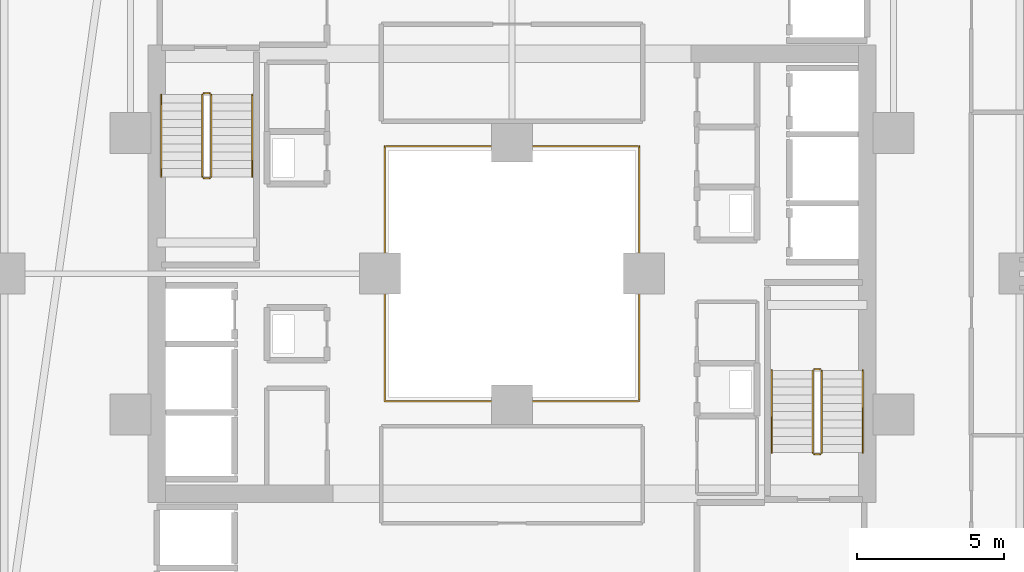
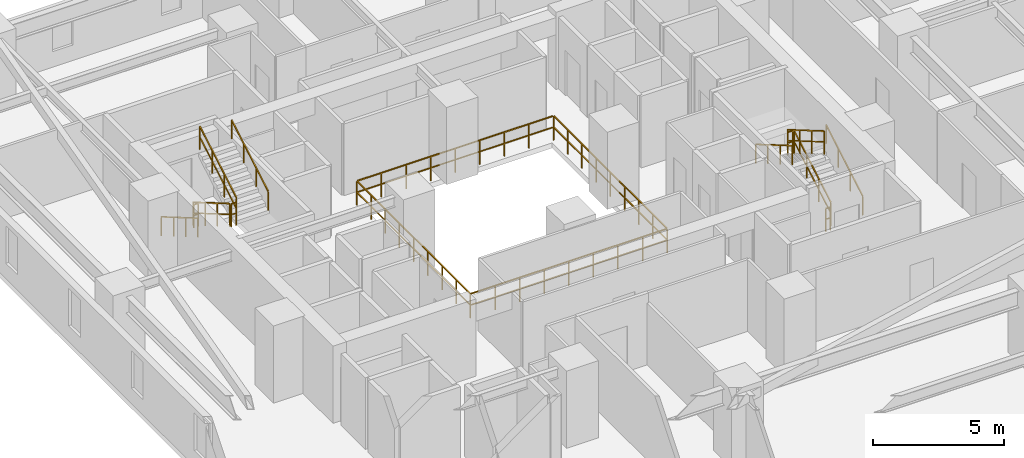
# One storey, part 32 of 33: 13 railings.
"""IFC4 building model written with IfcOpenShell, lengths in metres."""

from ifc_helpers import new_model, si_unit, direction, frame, origin, origin_2d, place, context, subcontext, project, spatial, rectangle, extrude, material, type_object, element, save


model = new_model("IFC4")

# Units and contexts
model_context = context("Model", 3, precision=1e-05, world=origin(), true_north=direction((0.0, 1.0)))
body_context = subcontext(model_context, "Body", "Model", "MODEL_VIEW")
ifc_project = project(units=[si_unit("LENGTHUNIT", "METRE"), si_unit("AREAUNIT", "SQUARE_METRE"), si_unit("VOLUMEUNIT", "CUBIC_METRE"), si_unit("PLANEANGLEUNIT", "RADIAN"), si_unit("MASSUNIT", "GRAM", prefix="KILO")], contexts=[model_context])

# Site, building, storey
site_placement = place(None, origin())
site = spatial("IfcSite", under=ifc_project, at=site_placement, CompositionType="ELEMENT")
building_placement = place(site_placement, origin())
building = spatial("IfcBuilding", under=site, at=building_placement, Name="Thornwick Lancets Civic Towers", CompositionType="ELEMENT")
storey_placement = place(building_placement, frame((0.0, 0.0, 42.300048828125)))
storey = spatial("IfcBuildingStorey", under=building, at=storey_placement, Name="L10", CompositionType="ELEMENT", Elevation=42.300048828125)

# Railings
ifc_material_1 = material(Name="Laminated glass and bronze steel S355", Category="steel")
railing_type_1 = type_object("IfcRailingType", Name="RAIL_ATRIUM_GUARD", PredefinedType="BALUSTRADE", material=ifc_material_1)
railing_1_placement = place(storey_placement, frame((84.159912109375, 22.659912109375, 0.0)))
element("IfcRailing", 1, at=railing_1_placement, inside=storey, type_object=railing_type_1, Name="L10 Tower B Central Atrium Guard Balustrade", PredefinedType="BALUSTRADE", context=body_context, shape_type="SweptSolid", body=[
    extrude(rectangle(XDim=0.048095703125, YDim=0.048095703125, at=origin_2d()), frame((0.0, 0.0, 1.1259765625), z_axis=(1.0, 0.0, 0.0), x_axis=(0.0, 1.0, 0.0)), (0.0, 0.0, 1.0), 8.64892578125),
    extrude(rectangle(XDim=0.0419921875, YDim=0.0419921875, at=origin_2d()), frame((0.03759765625, 0.0, 0.597900390625), z_axis=(1.0, 0.0, 0.0), x_axis=(0.0, 1.0, 0.0)), (0.0, 0.0, 1.0), 1.010009765625),
    extrude(rectangle(XDim=0.0419921875, YDim=0.0419921875, at=origin_2d()), frame((1.12255859375, 0.0, 0.597900390625), z_axis=(1.0, 0.0, 0.0), x_axis=(0.0, 1.0, 0.0)), (0.0, 0.0, 1.0), 1.010009765625),
    extrude(rectangle(XDim=0.0419921875, YDim=0.0419921875, at=origin_2d()), frame((2.20751953125, 0.0, 0.597900390625), z_axis=(1.0, 0.0, 0.0), x_axis=(0.0, 1.0, 0.0)), (0.0, 0.0, 1.0), 1.010009765625),
    extrude(rectangle(XDim=0.0419921875, YDim=0.0419921875, at=origin_2d()), frame((3.29248046875, 0.0, 0.597900390625), z_axis=(1.0, 0.0, 0.0), x_axis=(0.0, 1.0, 0.0)), (0.0, 0.0, 1.0), 1.010009765625),
    extrude(rectangle(XDim=0.0419921875, YDim=0.0419921875, at=origin_2d()), frame((4.377685546875, 0.0, 0.597900390625), z_axis=(1.0, 0.0, 0.0), x_axis=(0.0, 1.0, 0.0)), (0.0, 0.0, 1.0), 1.010009765625),
    extrude(rectangle(XDim=0.0419921875, YDim=0.0419921875, at=origin_2d()), frame((5.462646484375, 0.0, 0.597900390625), z_axis=(1.0, 0.0, 0.0), x_axis=(0.0, 1.0, 0.0)), (0.0, 0.0, 1.0), 1.010009765625),
    extrude(rectangle(XDim=0.0419921875, YDim=0.0419921875, at=origin_2d()), frame((6.547607421875, 0.0, 0.597900390625), z_axis=(1.0, 0.0, 0.0), x_axis=(0.0, 1.0, 0.0)), (0.0, 0.0, 1.0), 1.010009765625),
    extrude(rectangle(XDim=0.0419921875, YDim=0.0419921875, at=origin_2d()), frame((7.632568359375, 0.0, 0.597900390625), z_axis=(1.0, 0.0, 0.0), x_axis=(0.0, 1.0, 0.0)), (0.0, 0.0, 1.0), 1.010009765625),
    extrude(rectangle(XDim=0.048095703125, YDim=0.048095703125, at=origin_2d()), frame((8.68017578125, 0.03125, 1.1259765625), z_axis=(0.0, 1.0, 0.0), x_axis=(-1.0, 0.0, 0.0)), (0.0, 0.0, 1.0), 8.61767578125),
    extrude(rectangle(XDim=0.0419921875, YDim=0.0419921875, at=origin_2d()), frame((8.68017578125, 0.03759765625, 0.597900390625), z_axis=(0.0, 1.0, 0.0), x_axis=(-1.0, 0.0, 0.0)), (0.0, 0.0, 1.0), 1.010009765625),
    extrude(rectangle(XDim=0.0419921875, YDim=0.0419921875, at=origin_2d()), frame((8.68017578125, 1.12255859375, 0.597900390625), z_axis=(0.0, 1.0, 0.0), x_axis=(-1.0, 0.0, 0.0)), (0.0, 0.0, 1.0), 1.010009765625),
    extrude(rectangle(XDim=0.0419921875, YDim=0.0419921875, at=origin_2d()), frame((8.68017578125, 2.20751953125, 0.597900390625), z_axis=(0.0, 1.0, 0.0), x_axis=(-1.0, 0.0, 0.0)), (0.0, 0.0, 1.0), 1.010009765625),
    extrude(rectangle(XDim=0.0419921875, YDim=0.0419921875, at=origin_2d()), frame((8.68017578125, 3.29248046875, 0.597900390625), z_axis=(0.0, 1.0, 0.0), x_axis=(-1.0, 0.0, 0.0)), (0.0, 0.0, 1.0), 1.010009765625),
    extrude(rectangle(XDim=0.0419921875, YDim=0.0419921875, at=origin_2d()), frame((8.68017578125, 4.377685546875, 0.597900390625), z_axis=(0.0, 1.0, 0.0), x_axis=(-1.0, 0.0, 0.0)), (0.0, 0.0, 1.0), 1.010009765625),
    extrude(rectangle(XDim=0.0419921875, YDim=0.0419921875, at=origin_2d()), frame((8.68017578125, 5.462646484375, 0.597900390625), z_axis=(0.0, 1.0, 0.0), x_axis=(-1.0, 0.0, 0.0)), (0.0, 0.0, 1.0), 1.010009765625),
    extrude(rectangle(XDim=0.0419921875, YDim=0.0419921875, at=origin_2d()), frame((8.68017578125, 6.547607421875, 0.597900390625), z_axis=(0.0, 1.0, 0.0), x_axis=(-1.0, 0.0, 0.0)), (0.0, 0.0, 1.0), 1.010009765625),
    extrude(rectangle(XDim=0.0419921875, YDim=0.0419921875, at=origin_2d()), frame((8.68017578125, 7.632568359375, 0.597900390625), z_axis=(0.0, 1.0, 0.0), x_axis=(-1.0, 0.0, 0.0)), (0.0, 0.0, 1.0), 1.010009765625),
    extrude(rectangle(XDim=0.048095703125, YDim=0.048095703125, at=origin_2d()), frame((8.64892578125, 8.68017578125, 1.1259765625), z_axis=(-1.0, 0.0, 0.0), x_axis=(0.0, -1.0, 0.0)), (0.0, 0.0, 1.0), 8.61767578125),
    extrude(rectangle(XDim=0.0419921875, YDim=0.0419921875, at=origin_2d()), frame((8.642578125, 8.68017578125, 0.597900390625), z_axis=(-1.0, 0.0, 0.0), x_axis=(0.0, -1.0, 0.0)), (0.0, 0.0, 1.0), 1.010009765625),
    extrude(rectangle(XDim=0.0419921875, YDim=0.0419921875, at=origin_2d()), frame((7.5576171875, 8.68017578125, 0.597900390625), z_axis=(-1.0, 0.0, 0.0), x_axis=(0.0, -1.0, 0.0)), (0.0, 0.0, 1.0), 1.010009765625),
    extrude(rectangle(XDim=0.0419921875, YDim=0.0419921875, at=origin_2d()), frame((6.47265625, 8.68017578125, 0.597900390625), z_axis=(-1.0, 0.0, 0.0), x_axis=(0.0, -1.0, 0.0)), (0.0, 0.0, 1.0), 1.010009765625),
    extrude(rectangle(XDim=0.0419921875, YDim=0.0419921875, at=origin_2d()), frame((5.3876953125, 8.68017578125, 0.597900390625), z_axis=(-1.0, 0.0, 0.0), x_axis=(0.0, -1.0, 0.0)), (0.0, 0.0, 1.0), 1.010009765625),
    extrude(rectangle(XDim=0.0419921875, YDim=0.0419921875, at=origin_2d()), frame((4.302490234375, 8.68017578125, 0.597900390625), z_axis=(-1.0, 0.0, 0.0), x_axis=(0.0, -1.0, 0.0)), (0.0, 0.0, 1.0), 1.010009765625),
    extrude(rectangle(XDim=0.0419921875, YDim=0.0419921875, at=origin_2d()), frame((3.217529296875, 8.68017578125, 0.597900390625), z_axis=(-1.0, 0.0, 0.0), x_axis=(0.0, -1.0, 0.0)), (0.0, 0.0, 1.0), 1.010009765625),
    extrude(rectangle(XDim=0.0419921875, YDim=0.0419921875, at=origin_2d()), frame((2.132568359375, 8.68017578125, 0.597900390625), z_axis=(-1.0, 0.0, 0.0), x_axis=(0.0, -1.0, 0.0)), (0.0, 0.0, 1.0), 1.010009765625),
    extrude(rectangle(XDim=0.0419921875, YDim=0.0419921875, at=origin_2d()), frame((1.047607421875, 8.68017578125, 0.597900390625), z_axis=(-1.0, 0.0, 0.0), x_axis=(0.0, -1.0, 0.0)), (0.0, 0.0, 1.0), 1.010009765625),
    extrude(rectangle(XDim=0.048095703125, YDim=0.048095703125, at=origin_2d()), frame((0.0, 8.64892578125, 1.1259765625), z_axis=(0.0, -1.0, 0.0), x_axis=(1.0, 0.0, 0.0)), (0.0, 0.0, 1.0), 8.64892578125),
    extrude(rectangle(XDim=0.0419921875, YDim=0.0419921875, at=origin_2d()), frame((0.0, 8.642578125, 0.597900390625), z_axis=(0.0, -1.0, 0.0), x_axis=(1.0, 0.0, 0.0)), (0.0, 0.0, 1.0), 1.010009765625),
    extrude(rectangle(XDim=0.0419921875, YDim=0.0419921875, at=origin_2d()), frame((0.0, 7.5576171875, 0.597900390625), z_axis=(0.0, -1.0, 0.0), x_axis=(1.0, 0.0, 0.0)), (0.0, 0.0, 1.0), 1.010009765625),
    extrude(rectangle(XDim=0.0419921875, YDim=0.0419921875, at=origin_2d()), frame((0.0, 6.47265625, 0.597900390625), z_axis=(0.0, -1.0, 0.0), x_axis=(1.0, 0.0, 0.0)), (0.0, 0.0, 1.0), 1.010009765625),
    extrude(rectangle(XDim=0.0419921875, YDim=0.0419921875, at=origin_2d()), frame((0.0, 5.3876953125, 0.597900390625), z_axis=(0.0, -1.0, 0.0), x_axis=(1.0, 0.0, 0.0)), (0.0, 0.0, 1.0), 1.010009765625),
    extrude(rectangle(XDim=0.0419921875, YDim=0.0419921875, at=origin_2d()), frame((0.0, 4.302490234375, 0.597900390625), z_axis=(0.0, -1.0, 0.0), x_axis=(1.0, 0.0, 0.0)), (0.0, 0.0, 1.0), 1.010009765625),
    extrude(rectangle(XDim=0.0419921875, YDim=0.0419921875, at=origin_2d()), frame((0.0, 3.217529296875, 0.597900390625), z_axis=(0.0, -1.0, 0.0), x_axis=(1.0, 0.0, 0.0)), (0.0, 0.0, 1.0), 1.010009765625),
    extrude(rectangle(XDim=0.0419921875, YDim=0.0419921875, at=origin_2d()), frame((0.0, 2.132568359375, 0.597900390625), z_axis=(0.0, -1.0, 0.0), x_axis=(1.0, 0.0, 0.0)), (0.0, 0.0, 1.0), 1.010009765625),
    extrude(rectangle(XDim=0.0419921875, YDim=0.0419921875, at=origin_2d()), frame((0.0, 1.047607421875, 0.597900390625), z_axis=(0.0, -1.0, 0.0), x_axis=(1.0, 0.0, 0.0)), (0.0, 0.0, 1.0), 1.010009765625),
    extrude(rectangle(XDim=0.0419921875, YDim=0.0419921875, at=origin_2d()), origin(), (0.0, 0.0, 1.0), 1.095703125),
    extrude(rectangle(XDim=0.0419921875, YDim=0.0419921875, at=origin_2d()), frame((1.0849609375, 0.0, 0.0)), (0.0, 0.0, 1.0), 1.095703125),
    extrude(rectangle(XDim=0.0419921875, YDim=0.0419921875, at=origin_2d()), frame((2.169921875, 0.0, 0.0)), (0.0, 0.0, 1.0), 1.095703125),
    extrude(rectangle(XDim=0.0419921875, YDim=0.0419921875, at=origin_2d()), frame((3.255126953125, 0.0, 0.0)), (0.0, 0.0, 1.0), 1.095703125),
    extrude(rectangle(XDim=0.0419921875, YDim=0.0419921875, at=origin_2d()), frame((4.340087890625, 0.0, 0.0)), (0.0, 0.0, 1.0), 1.095703125),
    extrude(rectangle(XDim=0.0419921875, YDim=0.0419921875, at=origin_2d()), frame((5.425048828125, 0.0, 0.0)), (0.0, 0.0, 1.0), 1.095703125),
    extrude(rectangle(XDim=0.0419921875, YDim=0.0419921875, at=origin_2d()), frame((6.51025390625, 0.0, 0.0)), (0.0, 0.0, 1.0), 1.095703125),
    extrude(rectangle(XDim=0.0419921875, YDim=0.0419921875, at=origin_2d()), frame((7.59521484375, 0.0, 0.0)), (0.0, 0.0, 1.0), 1.095703125),
    extrude(rectangle(XDim=0.0419921875, YDim=0.0419921875, at=origin_2d()), frame((8.68017578125, 0.0, 0.0)), (0.0, 0.0, 1.0), 1.095703125),
    extrude(rectangle(XDim=0.0419921875, YDim=0.0419921875, at=origin_2d()), frame((8.68017578125, 1.0849609375, 0.0)), (0.0, 0.0, 1.0), 1.095703125),
    extrude(rectangle(XDim=0.0419921875, YDim=0.0419921875, at=origin_2d()), frame((8.68017578125, 2.169921875, 0.0)), (0.0, 0.0, 1.0), 1.095703125),
    extrude(rectangle(XDim=0.0419921875, YDim=0.0419921875, at=origin_2d()), frame((8.68017578125, 3.255126953125, 0.0)), (0.0, 0.0, 1.0), 1.095703125),
    extrude(rectangle(XDim=0.0419921875, YDim=0.0419921875, at=origin_2d()), frame((8.68017578125, 4.340087890625, 0.0)), (0.0, 0.0, 1.0), 1.095703125),
    extrude(rectangle(XDim=0.0419921875, YDim=0.0419921875, at=origin_2d()), frame((8.68017578125, 5.425048828125, 0.0)), (0.0, 0.0, 1.0), 1.095703125),
    extrude(rectangle(XDim=0.0419921875, YDim=0.0419921875, at=origin_2d()), frame((8.68017578125, 6.51025390625, 0.0)), (0.0, 0.0, 1.0), 1.095703125),
    extrude(rectangle(XDim=0.0419921875, YDim=0.0419921875, at=origin_2d()), frame((8.68017578125, 7.59521484375, 0.0)), (0.0, 0.0, 1.0), 1.095703125),
    extrude(rectangle(XDim=0.0419921875, YDim=0.0419921875, at=origin_2d()), frame((8.68017578125, 8.68017578125, 0.0)), (0.0, 0.0, 1.0), 1.095703125),
    extrude(rectangle(XDim=0.0419921875, YDim=0.0419921875, at=origin_2d()), frame((7.59521484375, 8.68017578125, 0.0)), (0.0, 0.0, 1.0), 1.095703125),
    extrude(rectangle(XDim=0.0419921875, YDim=0.0419921875, at=origin_2d()), frame((6.51025390625, 8.68017578125, 0.0)), (0.0, 0.0, 1.0), 1.095703125),
    extrude(rectangle(XDim=0.0419921875, YDim=0.0419921875, at=origin_2d()), frame((5.425048828125, 8.68017578125, 0.0)), (0.0, 0.0, 1.0), 1.095703125),
    extrude(rectangle(XDim=0.0419921875, YDim=0.0419921875, at=origin_2d()), frame((4.340087890625, 8.68017578125, 0.0)), (0.0, 0.0, 1.0), 1.095703125),
    extrude(rectangle(XDim=0.0419921875, YDim=0.0419921875, at=origin_2d()), frame((3.255126953125, 8.68017578125, 0.0)), (0.0, 0.0, 1.0), 1.095703125),
    extrude(rectangle(XDim=0.0419921875, YDim=0.0419921875, at=origin_2d()), frame((2.169921875, 8.68017578125, 0.0)), (0.0, 0.0, 1.0), 1.095703125),
    extrude(rectangle(XDim=0.0419921875, YDim=0.0419921875, at=origin_2d()), frame((1.0849609375, 8.68017578125, 0.0)), (0.0, 0.0, 1.0), 1.095703125),
    extrude(rectangle(XDim=0.0419921875, YDim=0.0419921875, at=origin_2d()), frame((0.0, 8.68017578125, 0.0)), (0.0, 0.0, 1.0), 1.095703125),
    extrude(rectangle(XDim=0.0419921875, YDim=0.0419921875, at=origin_2d()), frame((0.0, 7.59521484375, 0.0)), (0.0, 0.0, 1.0), 1.095703125),
    extrude(rectangle(XDim=0.0419921875, YDim=0.0419921875, at=origin_2d()), frame((0.0, 6.51025390625, 0.0)), (0.0, 0.0, 1.0), 1.095703125),
    extrude(rectangle(XDim=0.0419921875, YDim=0.0419921875, at=origin_2d()), frame((0.0, 5.425048828125, 0.0)), (0.0, 0.0, 1.0), 1.095703125),
    extrude(rectangle(XDim=0.0419921875, YDim=0.0419921875, at=origin_2d()), frame((0.0, 4.340087890625, 0.0)), (0.0, 0.0, 1.0), 1.095703125),
    extrude(rectangle(XDim=0.0419921875, YDim=0.0419921875, at=origin_2d()), frame((0.0, 3.255126953125, 0.0)), (0.0, 0.0, 1.0), 1.095703125),
    extrude(rectangle(XDim=0.0419921875, YDim=0.0419921875, at=origin_2d()), frame((0.0, 2.169921875, 0.0)), (0.0, 0.0, 1.0), 1.095703125),
    extrude(rectangle(XDim=0.0419921875, YDim=0.0419921875, at=origin_2d()), frame((0.0, 1.0849609375, 0.0)), (0.0, 0.0, 1.0), 1.095703125),
])
ifc_material_2 = material(Name="Brushed stainless steel S355", Category="steel")
railing_type_2 = type_object("IfcRailingType", Name="RAIL_HANDRAIL", PredefinedType="HANDRAIL", material=ifc_material_2)
railing_2_placement = place(storey_placement, frame((100.449951171875, 20.89990234375, 0.16357421875)))
element("IfcRailing", 2, at=railing_2_placement, inside=storey, type_object=railing_type_2, Name="L10 ST-B1 stair handrail 1", PredefinedType="HANDRAIL", context=body_context, shape_type="SweptSolid", body=[
    extrude(rectangle(XDim=0.048095703125, YDim=0.048095703125, at=origin_2d()), frame((0.0, 0.0, 0.8857421875), z_axis=(0.0, 0.863360870873, 0.504586966384), x_axis=(-1.0, 0.0, 0.0)), (0.0, 0.0, 1.0), 3.2431640625),
    extrude(rectangle(XDim=0.0419921875, YDim=0.0419921875, at=origin_2d()), origin(), (0.0, 0.0, 1.0), 0.855712890625),
    extrude(rectangle(XDim=0.0419921875, YDim=0.0419921875, at=origin_2d()), frame((0.0, 0.933349609375, 0.54541015625)), (0.0, 0.0, 1.0), 0.855712890625),
    extrude(rectangle(XDim=0.0419921875, YDim=0.0419921875, at=origin_2d()), frame((0.0, 1.86669921875, 1.091064453125)), (0.0, 0.0, 1.0), 0.855712890625),
    extrude(rectangle(XDim=0.0419921875, YDim=0.0419921875, at=origin_2d()), frame((0.0, 2.800048828125, 1.636474609375)), (0.0, 0.0, 1.0), 0.855712890625),
])
railing_3_placement = place(storey_placement, frame((97.35009765625, 23.699951171875, 1.963623046875)))
element("IfcRailing", 3, at=railing_3_placement, inside=storey, type_object=railing_type_2, Name="L10 ST-B1 stair handrail 2", PredefinedType="HANDRAIL", context=body_context, shape_type="SweptSolid", body=[
    extrude(rectangle(XDim=0.048095703125, YDim=0.048095703125, at=origin_2d()), frame((0.0, 0.0, 0.8857421875), z_axis=(0.0, -0.863393664356, 0.504530851732), x_axis=(1.0, 0.0, 0.0)), (0.0, 0.0, 1.0), 3.2431640625),
    extrude(rectangle(XDim=0.0419921875, YDim=0.0419921875, at=origin_2d()), origin(), (0.0, 0.0, 1.0), 0.855712890625),
    extrude(rectangle(XDim=0.0419921875, YDim=0.0419921875, at=origin_2d()), frame((0.0, -0.933349609375, 0.54541015625)), (0.0, 0.0, 1.0), 0.855712890625),
    extrude(rectangle(XDim=0.0419921875, YDim=0.0419921875, at=origin_2d()), frame((0.0, -1.86669921875, 1.0908203125)), (0.0, 0.0, 1.0), 0.855712890625),
    extrude(rectangle(XDim=0.0419921875, YDim=0.0419921875, at=origin_2d()), frame((0.0, -2.800048828125, 1.63623046875)), (0.0, 0.0, 1.0), 0.855712890625),
])
railing_4_placement = place(storey_placement, frame((76.550048828125, 33.10009765625, 0.16357421875)))
element("IfcRailing", 4, at=railing_4_placement, inside=storey, type_object=railing_type_2, Name="L10 ST-B2 stair handrail 1", PredefinedType="HANDRAIL", context=body_context, shape_type="SweptSolid", body=[
    extrude(rectangle(XDim=0.048095703125, YDim=0.048095703125, at=origin_2d()), frame((0.0, 0.0, 0.8857421875), z_axis=(0.0, -0.863360870873, 0.504586966384), x_axis=(1.0, 0.0, 0.0)), (0.0, 0.0, 1.0), 3.2431640625),
    extrude(rectangle(XDim=0.0419921875, YDim=0.0419921875, at=origin_2d()), origin(), (0.0, 0.0, 1.0), 0.855712890625),
    extrude(rectangle(XDim=0.0419921875, YDim=0.0419921875, at=origin_2d()), frame((0.0, -0.933349609375, 0.54541015625)), (0.0, 0.0, 1.0), 0.855712890625),
    extrude(rectangle(XDim=0.0419921875, YDim=0.0419921875, at=origin_2d()), frame((0.0, -1.86669921875, 1.091064453125)), (0.0, 0.0, 1.0), 0.855712890625),
    extrude(rectangle(XDim=0.0419921875, YDim=0.0419921875, at=origin_2d()), frame((0.0, -2.800048828125, 1.636474609375)), (0.0, 0.0, 1.0), 0.855712890625),
])
railing_5_placement = place(storey_placement, frame((79.64990234375, 30.300048828125, 1.963623046875)))
element("IfcRailing", 5, at=railing_5_placement, inside=storey, type_object=railing_type_2, Name="L10 ST-B2 stair handrail 2", PredefinedType="HANDRAIL", context=body_context, shape_type="SweptSolid", body=[
    extrude(rectangle(XDim=0.048095703125, YDim=0.048095703125, at=origin_2d()), frame((0.0, 0.0, 0.8857421875), z_axis=(0.0, 0.863393664356, 0.504530851732), x_axis=(-1.0, 0.0, 0.0)), (0.0, 0.0, 1.0), 3.2431640625),
    extrude(rectangle(XDim=0.0419921875, YDim=0.0419921875, at=origin_2d()), origin(), (0.0, 0.0, 1.0), 0.855712890625),
    extrude(rectangle(XDim=0.0419921875, YDim=0.0419921875, at=origin_2d()), frame((0.0, 0.933349609375, 0.54541015625)), (0.0, 0.0, 1.0), 0.855712890625),
    extrude(rectangle(XDim=0.0419921875, YDim=0.0419921875, at=origin_2d()), frame((0.0, 1.86669921875, 1.0908203125)), (0.0, 0.0, 1.0), 0.855712890625),
    extrude(rectangle(XDim=0.0419921875, YDim=0.0419921875, at=origin_2d()), frame((0.0, 2.800048828125, 1.63623046875)), (0.0, 0.0, 1.0), 0.855712890625),
])
ifc_material_3 = material(Name="Steel S355JR", Category="steel")
railing_type_3 = type_object("IfcRailingType", Name="RAIL_STAIR_GUARD", PredefinedType="GUARDRAIL", material=ifc_material_3)
railing_6_placement = place(storey_placement, frame((99.050048828125, 20.89990234375, 0.16357421875)))
element("IfcRailing", 6, at=railing_6_placement, inside=storey, type_object=railing_type_3, Name="L10 ST-B1 stair guard 1", PredefinedType="GUARDRAIL", context=body_context, shape_type="SweptSolid", body=[
    extrude(rectangle(XDim=0.048095703125, YDim=0.048095703125, at=origin_2d()), frame((0.0, 0.0, 1.076171875), z_axis=(0.0, 0.863360870873, 0.504586966384), x_axis=(-1.0, 0.0, 0.0)), (0.0, 0.0, 1.0), 3.2431640625),
    extrude(rectangle(XDim=0.0419921875, YDim=0.0419921875, at=origin_2d()), frame((0.0, 0.032470703125, 0.591064453125), z_axis=(0.0, 0.863360870873, 0.504586966384), x_axis=(-1.0, 0.0, 0.0)), (0.0, 0.0, 1.0), 1.006103515625),
    extrude(rectangle(XDim=0.0419921875, YDim=0.0419921875, at=origin_2d()), frame((0.0, 0.9658203125, 1.136474609375), z_axis=(0.0, 0.863360870873, 0.504586966384), x_axis=(-1.0, 0.0, 0.0)), (0.0, 0.0, 1.0), 1.006103515625),
    extrude(rectangle(XDim=0.0419921875, YDim=0.0419921875, at=origin_2d()), frame((0.0, 1.899169921875, 1.681884765625), z_axis=(0.0, 0.863360870873, 0.504586966384), x_axis=(-1.0, 0.0, 0.0)), (0.0, 0.0, 1.0), 1.006103515625),
    extrude(rectangle(XDim=0.0419921875, YDim=0.0419921875, at=origin_2d()), origin(), (0.0, 0.0, 1.0), 1.0458984375),
    extrude(rectangle(XDim=0.0419921875, YDim=0.0419921875, at=origin_2d()), frame((0.0, 0.933349609375, 0.54541015625)), (0.0, 0.0, 1.0), 1.0458984375),
    extrude(rectangle(XDim=0.0419921875, YDim=0.0419921875, at=origin_2d()), frame((0.0, 1.86669921875, 1.091064453125)), (0.0, 0.0, 1.0), 1.0458984375),
    extrude(rectangle(XDim=0.0419921875, YDim=0.0419921875, at=origin_2d()), frame((0.0, 2.800048828125, 1.636474609375)), (0.0, 0.0, 1.0), 1.0458984375),
])
railing_7_placement = place(storey_placement, frame((99.0, 23.75, 1.800048828125)))
element("IfcRailing", 7, at=railing_7_placement, inside=storey, type_object=railing_type_3, Name="L10 ST-B1 stair guard 2", PredefinedType="GUARDRAIL", context=body_context, shape_type="SweptSolid", body=[
    extrude(rectangle(XDim=0.048095703125, YDim=0.048095703125, at=origin_2d()), frame((0.0, 0.0, 1.076171875), z_axis=(-1.0, 0.0, 0.0), x_axis=(0.0, -1.0, 0.0)), (0.0, 0.0, 1.0), 0.199951171875),
    extrude(rectangle(XDim=0.0419921875, YDim=0.0419921875, at=origin_2d()), frame((-0.03759765625, 0.0, 0.572021484375), z_axis=(-1.0, 0.0, 0.0), x_axis=(0.0, -1.0, 0.0)), (0.0, 0.0, 1.0), 0.125),
    extrude(rectangle(XDim=0.0419921875, YDim=0.0419921875, at=origin_2d()), origin(), (0.0, 0.0, 1.0), 1.0458984375),
    extrude(rectangle(XDim=0.0419921875, YDim=0.0419921875, at=origin_2d()), frame((-0.199951171875, 0.0, 0.0)), (0.0, 0.0, 1.0), 1.0458984375),
])
railing_8_placement = place(storey_placement, frame((98.75, 23.699951171875, 1.963623046875)))
element("IfcRailing", 8, at=railing_8_placement, inside=storey, type_object=railing_type_3, Name="L10 ST-B1 stair guard 3", PredefinedType="GUARDRAIL", context=body_context, shape_type="SweptSolid", body=[
    extrude(rectangle(XDim=0.048095703125, YDim=0.048095703125, at=origin_2d()), frame((0.0, 0.0, 1.076171875), z_axis=(0.0, -0.863393664356, 0.504530851732), x_axis=(1.0, 0.0, 0.0)), (0.0, 0.0, 1.0), 3.2431640625),
    extrude(rectangle(XDim=0.0419921875, YDim=0.0419921875, at=origin_2d()), frame((0.0, -0.032470703125, 0.591064453125), z_axis=(0.0, -0.863393664356, 0.504530851732), x_axis=(1.0, 0.0, 0.0)), (0.0, 0.0, 1.0), 1.006103515625),
    extrude(rectangle(XDim=0.0419921875, YDim=0.0419921875, at=origin_2d()), frame((0.0, -0.9658203125, 1.136474609375), z_axis=(0.0, -0.863393664356, 0.504530851732), x_axis=(1.0, 0.0, 0.0)), (0.0, 0.0, 1.0), 1.006103515625),
    extrude(rectangle(XDim=0.0419921875, YDim=0.0419921875, at=origin_2d()), frame((0.0, -1.899169921875, 1.681884765625), z_axis=(0.0, -0.863393664356, 0.504530851732), x_axis=(1.0, 0.0, 0.0)), (0.0, 0.0, 1.0), 1.006103515625),
    extrude(rectangle(XDim=0.0419921875, YDim=0.0419921875, at=origin_2d()), origin(), (0.0, 0.0, 1.0), 1.0458984375),
    extrude(rectangle(XDim=0.0419921875, YDim=0.0419921875, at=origin_2d()), frame((0.0, -0.933349609375, 0.54541015625)), (0.0, 0.0, 1.0), 1.0458984375),
    extrude(rectangle(XDim=0.0419921875, YDim=0.0419921875, at=origin_2d()), frame((0.0, -1.86669921875, 1.0908203125)), (0.0, 0.0, 1.0), 1.0458984375),
    extrude(rectangle(XDim=0.0419921875, YDim=0.0419921875, at=origin_2d()), frame((0.0, -2.800048828125, 1.63623046875)), (0.0, 0.0, 1.0), 1.0458984375),
])
railing_9_placement = place(storey_placement, frame((99.0, 20.85009765625, 0.0)))
element("IfcRailing", 9, at=railing_9_placement, inside=storey, type_object=railing_type_3, Name="L10 ST-B1 stair guard 4", PredefinedType="GUARDRAIL", context=body_context, shape_type="SweptSolid", body=[
    extrude(rectangle(XDim=0.048095703125, YDim=0.048095703125, at=origin_2d()), frame((0.0, 0.0, 1.076171875), z_axis=(-1.0, 0.0, 0.0), x_axis=(0.0, -1.0, 0.0)), (0.0, 0.0, 1.0), 0.199951171875),
    extrude(rectangle(XDim=0.0419921875, YDim=0.0419921875, at=origin_2d()), frame((-0.03759765625, 0.0, 0.572021484375), z_axis=(-1.0, 0.0, 0.0), x_axis=(0.0, -1.0, 0.0)), (0.0, 0.0, 1.0), 0.125),
    extrude(rectangle(XDim=0.0419921875, YDim=0.0419921875, at=origin_2d()), origin(), (0.0, 0.0, 1.0), 1.0458984375),
    extrude(rectangle(XDim=0.0419921875, YDim=0.0419921875, at=origin_2d()), frame((-0.199951171875, 0.0, 0.0)), (0.0, 0.0, 1.0), 1.0458984375),
])
railing_10_placement = place(storey_placement, frame((77.949951171875, 33.10009765625, 0.16357421875)))
element("IfcRailing", 10, at=railing_10_placement, inside=storey, type_object=railing_type_3, Name="L10 ST-B2 stair guard 1", PredefinedType="GUARDRAIL", context=body_context, shape_type="SweptSolid", body=[
    extrude(rectangle(XDim=0.048095703125, YDim=0.048095703125, at=origin_2d()), frame((0.0, 0.0, 1.076171875), z_axis=(0.0, -0.863360870873, 0.504586966384), x_axis=(1.0, 0.0, 0.0)), (0.0, 0.0, 1.0), 3.2431640625),
    extrude(rectangle(XDim=0.0419921875, YDim=0.0419921875, at=origin_2d()), frame((0.0, -0.032470703125, 0.591064453125), z_axis=(0.0, -0.863360870873, 0.504586966384), x_axis=(1.0, 0.0, 0.0)), (0.0, 0.0, 1.0), 1.006103515625),
    extrude(rectangle(XDim=0.0419921875, YDim=0.0419921875, at=origin_2d()), frame((0.0, -0.9658203125, 1.136474609375), z_axis=(0.0, -0.863360870873, 0.504586966384), x_axis=(1.0, 0.0, 0.0)), (0.0, 0.0, 1.0), 1.006103515625),
    extrude(rectangle(XDim=0.0419921875, YDim=0.0419921875, at=origin_2d()), frame((0.0, -1.899169921875, 1.681884765625), z_axis=(0.0, -0.863360870873, 0.504586966384), x_axis=(1.0, 0.0, 0.0)), (0.0, 0.0, 1.0), 1.006103515625),
    extrude(rectangle(XDim=0.0419921875, YDim=0.0419921875, at=origin_2d()), origin(), (0.0, 0.0, 1.0), 1.0458984375),
    extrude(rectangle(XDim=0.0419921875, YDim=0.0419921875, at=origin_2d()), frame((0.0, -0.933349609375, 0.54541015625)), (0.0, 0.0, 1.0), 1.0458984375),
    extrude(rectangle(XDim=0.0419921875, YDim=0.0419921875, at=origin_2d()), frame((0.0, -1.86669921875, 1.091064453125)), (0.0, 0.0, 1.0), 1.0458984375),
    extrude(rectangle(XDim=0.0419921875, YDim=0.0419921875, at=origin_2d()), frame((0.0, -2.800048828125, 1.636474609375)), (0.0, 0.0, 1.0), 1.0458984375),
])
railing_11_placement = place(storey_placement, frame((78.0, 30.25, 1.800048828125)))
element("IfcRailing", 11, at=railing_11_placement, inside=storey, type_object=railing_type_3, Name="L10 ST-B2 stair guard 2", PredefinedType="GUARDRAIL", context=body_context, shape_type="SweptSolid", body=[
    extrude(rectangle(XDim=0.048095703125, YDim=0.048095703125, at=origin_2d()), frame((0.0, 0.0, 1.076171875), z_axis=(1.0, 0.0, 0.0), x_axis=(0.0, 1.0, 0.0)), (0.0, 0.0, 1.0), 0.199951171875),
    extrude(rectangle(XDim=0.0419921875, YDim=0.0419921875, at=origin_2d()), frame((0.03759765625, 0.0, 0.572021484375), z_axis=(1.0, 0.0, 0.0), x_axis=(0.0, 1.0, 0.0)), (0.0, 0.0, 1.0), 0.125),
    extrude(rectangle(XDim=0.0419921875, YDim=0.0419921875, at=origin_2d()), origin(), (0.0, 0.0, 1.0), 1.0458984375),
    extrude(rectangle(XDim=0.0419921875, YDim=0.0419921875, at=origin_2d()), frame((0.199951171875, 0.0, 0.0)), (0.0, 0.0, 1.0), 1.0458984375),
])
railing_12_placement = place(storey_placement, frame((78.25, 30.300048828125, 1.963623046875)))
element("IfcRailing", 12, at=railing_12_placement, inside=storey, type_object=railing_type_3, Name="L10 ST-B2 stair guard 3", PredefinedType="GUARDRAIL", context=body_context, shape_type="SweptSolid", body=[
    extrude(rectangle(XDim=0.048095703125, YDim=0.048095703125, at=origin_2d()), frame((0.0, 0.0, 1.076171875), z_axis=(0.0, 0.863393664356, 0.504530851732), x_axis=(-1.0, 0.0, 0.0)), (0.0, 0.0, 1.0), 3.2431640625),
    extrude(rectangle(XDim=0.0419921875, YDim=0.0419921875, at=origin_2d()), frame((0.0, 0.032470703125, 0.591064453125), z_axis=(0.0, 0.863393664356, 0.504530851732), x_axis=(-1.0, 0.0, 0.0)), (0.0, 0.0, 1.0), 1.006103515625),
    extrude(rectangle(XDim=0.0419921875, YDim=0.0419921875, at=origin_2d()), frame((0.0, 0.9658203125, 1.136474609375), z_axis=(0.0, 0.863393664356, 0.504530851732), x_axis=(-1.0, 0.0, 0.0)), (0.0, 0.0, 1.0), 1.006103515625),
    extrude(rectangle(XDim=0.0419921875, YDim=0.0419921875, at=origin_2d()), frame((0.0, 1.899169921875, 1.681884765625), z_axis=(0.0, 0.863393664356, 0.504530851732), x_axis=(-1.0, 0.0, 0.0)), (0.0, 0.0, 1.0), 1.006103515625),
    extrude(rectangle(XDim=0.0419921875, YDim=0.0419921875, at=origin_2d()), origin(), (0.0, 0.0, 1.0), 1.0458984375),
    extrude(rectangle(XDim=0.0419921875, YDim=0.0419921875, at=origin_2d()), frame((0.0, 0.933349609375, 0.54541015625)), (0.0, 0.0, 1.0), 1.0458984375),
    extrude(rectangle(XDim=0.0419921875, YDim=0.0419921875, at=origin_2d()), frame((0.0, 1.86669921875, 1.0908203125)), (0.0, 0.0, 1.0), 1.0458984375),
    extrude(rectangle(XDim=0.0419921875, YDim=0.0419921875, at=origin_2d()), frame((0.0, 2.800048828125, 1.63623046875)), (0.0, 0.0, 1.0), 1.0458984375),
])
railing_13_placement = place(storey_placement, frame((78.0, 33.14990234375, 0.0)))
element("IfcRailing", 13, at=railing_13_placement, inside=storey, type_object=railing_type_3, Name="L10 ST-B2 stair guard 4", PredefinedType="GUARDRAIL", context=body_context, shape_type="SweptSolid", body=[
    extrude(rectangle(XDim=0.048095703125, YDim=0.048095703125, at=origin_2d()), frame((0.0, 0.0, 1.076171875), z_axis=(1.0, 0.0, 0.0), x_axis=(0.0, 1.0, 0.0)), (0.0, 0.0, 1.0), 0.199951171875),
    extrude(rectangle(XDim=0.0419921875, YDim=0.0419921875, at=origin_2d()), frame((0.03759765625, 0.0, 0.572021484375), z_axis=(1.0, 0.0, 0.0), x_axis=(0.0, 1.0, 0.0)), (0.0, 0.0, 1.0), 0.125),
    extrude(rectangle(XDim=0.0419921875, YDim=0.0419921875, at=origin_2d()), origin(), (0.0, 0.0, 1.0), 1.0458984375),
    extrude(rectangle(XDim=0.0419921875, YDim=0.0419921875, at=origin_2d()), frame((0.199951171875, 0.0, 0.0)), (0.0, 0.0, 1.0), 1.0458984375),
])

save(model, "model.ifc")
